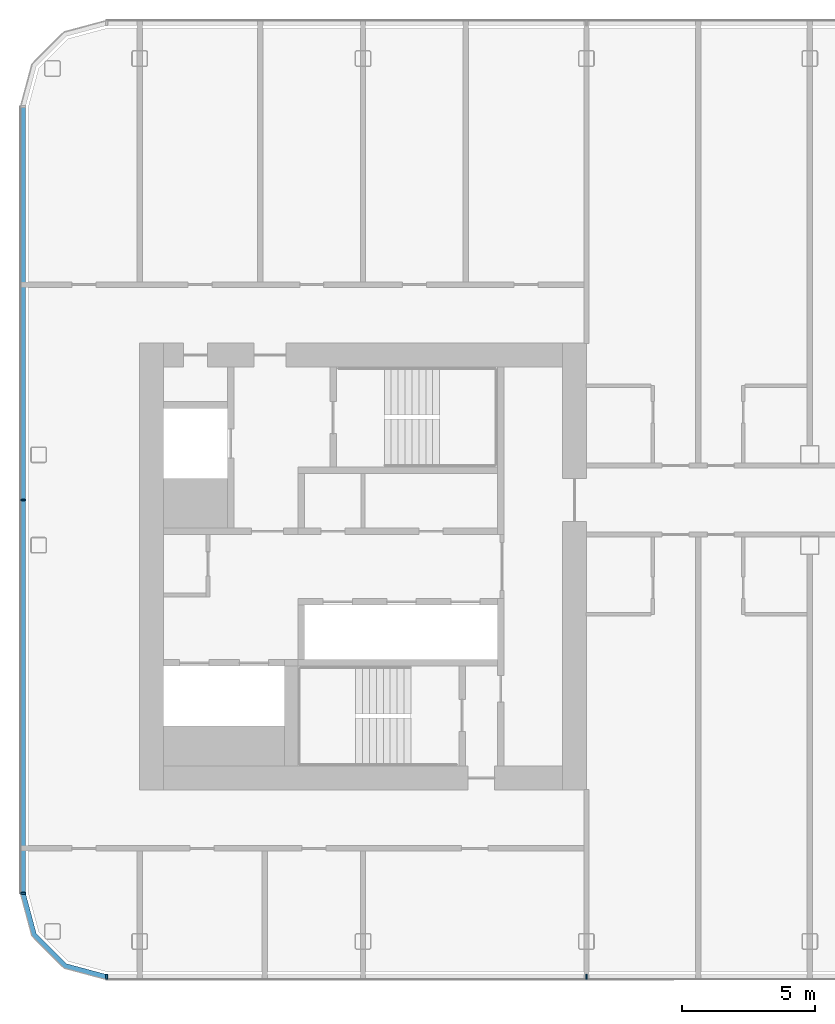
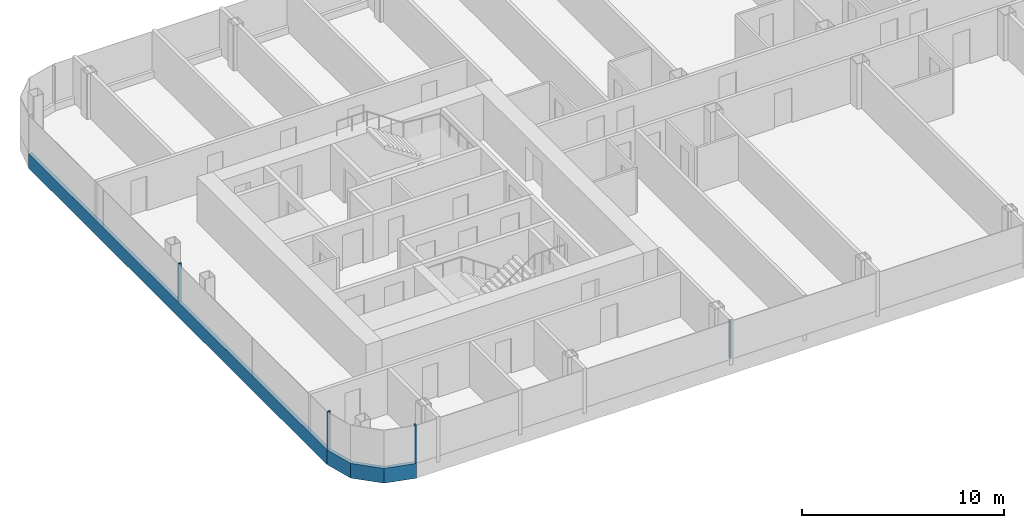
# One storey, part 2 of 26: 6 members, 3 elements without a shape of their own.
"""IFC4 building model written with IfcOpenShell, lengths in metres."""

from ifc_helpers import new_model, si_unit, direction, frame, origin, origin_2d, place, context, subcontext, project, spatial, polyline, rectangle, outline, extrude, material, layer, layer_set, material_profile, profile_set, type_object, element, aggregate, save


model = new_model("IFC4")

# Units and contexts
model_context = context("Model", 3, precision=1e-05, world=origin(), true_north=direction((0.0, 1.0)))
body_context = subcontext(model_context, "Body", "Model", "MODEL_VIEW")
ifc_project = project(units=[si_unit("LENGTHUNIT", "METRE"), si_unit("AREAUNIT", "SQUARE_METRE"), si_unit("VOLUMEUNIT", "CUBIC_METRE"), si_unit("PLANEANGLEUNIT", "RADIAN"), si_unit("MASSUNIT", "GRAM", prefix="KILO")], contexts=[model_context])

# Site, building, storey
site_placement = place(None, origin())
site = spatial("IfcSite", under=ifc_project, at=site_placement, CompositionType="ELEMENT")
building_placement = place(site_placement, origin())
building = spatial("IfcBuilding", under=site, at=building_placement, Name="Hakoniwa Tower and Hamabe Station Hall", CompositionType="ELEMENT")
storey_placement = place(building_placement, frame((0.0, 0.0, 212.199951171875)))
storey = spatial("IfcBuildingStorey", under=building, at=storey_placement, Name="L60", CompositionType="ELEMENT", Elevation=212.199951171875)

# Curtain wall, member
ifc_material_1 = material(Name="Dark low-e laminated glass", Category="glass")
ifc_layer = layer(ifc_material_1, 0.199951171875)
ifc_layer_set = layer_set([ifc_layer], Name="CW-1 UNITISED GUEST")
curtain_wall_type = type_object("IfcCurtainWallType", Name="CW-1 UNITISED GUEST", PredefinedType="NOTDEFINED", material=ifc_layer_set)
curtain_wall_1_placement = place(storey_placement, origin())
curtain_wall_1 = element("IfcCurtainWall", 1, at=curtain_wall_1_placement, inside=storey, type_object=curtain_wall_type, Name="CW-1 curtain wall", PredefinedType="NOTDEFINED")
ifc_material_2 = material(Name="Aluminium 6063-T5 black anodised", Category="aluminium")
ifc_material_profile_1 = material_profile(ifc_material_2, rectangle(XDim=0.199951171875, YDim=0.89990234375, at=origin_2d()), Name="CW SLAB-EDGE BAND 900X200")
ifc_profile_set_1 = profile_set([ifc_material_profile_1], Name="Aluminium 6063-T5 black anodised")
member_type_1 = type_object("IfcMemberType", Name="CW SLAB-EDGE BAND 900X200", PredefinedType="USERDEFINED", material=ifc_profile_set_1)
member_1_placement = place(storey_placement, frame((-38.0, 17.28955078125, -0.099853515625), z_axis=(0.0, -1.0, 0.0), x_axis=(1.0, 0.0, 0.0)))
member_1 = element("IfcMember", 2, at=member_1_placement, type_object=member_type_1, Name="CW-1 transom", ObjectType="TRANSOM", PredefinedType="USERDEFINED", context=body_context, shape_type="SweptSolid", body=[
    extrude(rectangle(XDim=0.199951171875, YDim=0.89990234375, at=origin_2d()), origin(), (0.0, 0.0, 1.0), 29.5791015625),
])

curtain_wall_2_placement = place(storey_placement, origin())
curtain_wall_2 = element("IfcCurtainWall", 3, at=curtain_wall_2_placement, inside=storey, type_object=curtain_wall_type, Name="CW-1 curtain wall", PredefinedType="NOTDEFINED")
member_2_placement = place(storey_placement, frame((0.0, 0.0, -0.550048828125)))
member_2 = element("IfcMember", 4, at=member_2_placement, type_object=member_type_1, Name="CW-1 transom", ObjectType="TRANSOM", PredefinedType="USERDEFINED", context=body_context, shape_type="SweptSolid", body=[
    extrude(outline(polyline([(-38.10009765625, -12.28955078125), (-37.6669921875, -13.9052734375), (-36.455322265625, -15.116943359375), (-34.839599609375, -15.550048828125), (-34.787841796875, -15.35693359375), (-36.351806640625, -14.937744140625), (-37.48779296875, -13.8017578125), (-37.90673828125, -12.23779296875), (-38.10009765625, -12.28955078125)])), origin(), (0.0, 0.0, 1.0), 0.900146484375),
])
aggregate(curtain_wall_2, [member_2])

# Member
ifc_material_3 = material(Name="Aluminium 6063-T5 black anodised", Category="aluminium")
ifc_material_profile_2 = material_profile(ifc_material_3, rectangle(XDim=0.06005859375, YDim=0.179931640625, at=origin_2d()), Name="CW-1 MULLION 60X180")
ifc_profile_set_2 = profile_set([ifc_material_profile_2], Name="Aluminium 6063-T5 black anodised")
member_type_2 = type_object("IfcMemberType", Name="CW-1 MULLION 60X180", PredefinedType="MULLION", material=ifc_profile_set_2)
member_3_placement = place(storey_placement, frame((-37.98193359375, 2.5, 0.35009765625), z_axis=(0.0, 0.0, 1.0), x_axis=(0.0, -1.0, 0.0)))
member_3 = element("IfcMember", 5, at=member_3_placement, type_object=member_type_2, Name="CW-1 mullion", PredefinedType="MULLION", context=body_context, shape_type="SweptSolid", body=[
    extrude(rectangle(XDim=0.06005859375, YDim=0.179931640625, at=origin_2d()), origin(), (0.0, 0.0, 1.0), 2.300048828125),
])

member_4_placement = place(storey_placement, frame((-37.98193359375, -12.28955078125, 0.35009765625), z_axis=(0.0, 0.0, 1.0), x_axis=(0.0, -1.0, 0.0)))
member_4 = element("IfcMember", 6, at=member_4_placement, type_object=member_type_2, Name="CW-1 mullion", PredefinedType="MULLION", context=body_context, shape_type="SweptSolid", body=[
    extrude(rectangle(XDim=0.06005859375, YDim=0.179931640625, at=origin_2d()), origin(), (0.0, 0.0, 1.0), 2.300048828125),
])

aggregate(curtain_wall_1, [member_3, member_4, member_1])

# Curtain wall, members
curtain_wall_3_placement = place(storey_placement, origin())
curtain_wall_3 = element("IfcCurtainWall", 7, at=curtain_wall_3_placement, inside=storey, type_object=curtain_wall_type, Name="CW-1 curtain wall", PredefinedType="NOTDEFINED")
member_5_placement = place(storey_placement, frame((-34.839599609375, -15.431884765625, 0.35009765625), z_axis=(0.0, 0.0, 1.0), x_axis=(1.0, 0.0, 0.0)))
member_5 = element("IfcMember", 8, at=member_5_placement, type_object=member_type_2, Name="CW-1 mullion", PredefinedType="MULLION", context=body_context, shape_type="SweptSolid", body=[
    extrude(rectangle(XDim=0.06005859375, YDim=0.179931640625, at=origin_2d()), origin(), (0.0, 0.0, 1.0), 2.300048828125),
])
member_6_placement = place(storey_placement, frame((-16.800048828125, -15.431884765625, 0.35009765625), z_axis=(0.0, 0.0, 1.0), x_axis=(1.0, 0.0, 0.0)))
member_6 = element("IfcMember", 9, at=member_6_placement, type_object=member_type_2, Name="CW-1 mullion", PredefinedType="MULLION", context=body_context, shape_type="SweptSolid", body=[
    extrude(rectangle(XDim=0.06005859375, YDim=0.179931640625, at=origin_2d()), origin(), (0.0, 0.0, 1.0), 2.300048828125),
])
aggregate(curtain_wall_3, [member_5, member_6])

save(model, "model.ifc")
